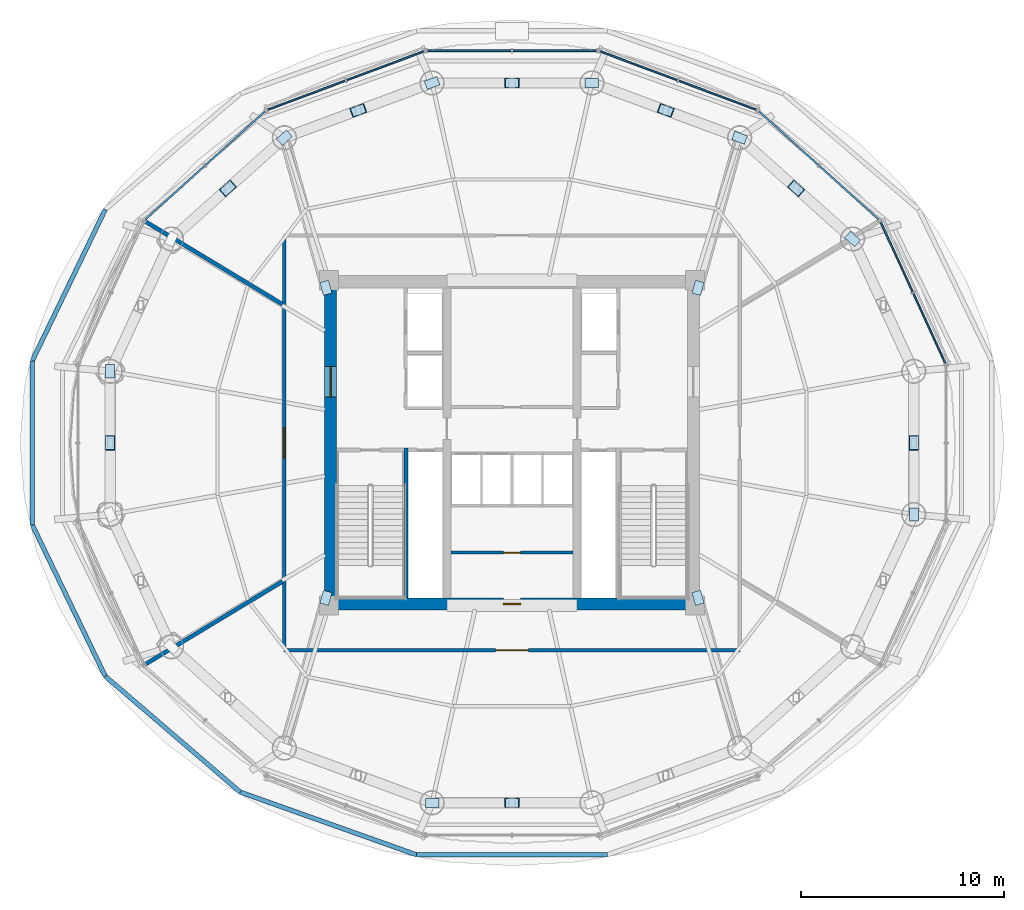
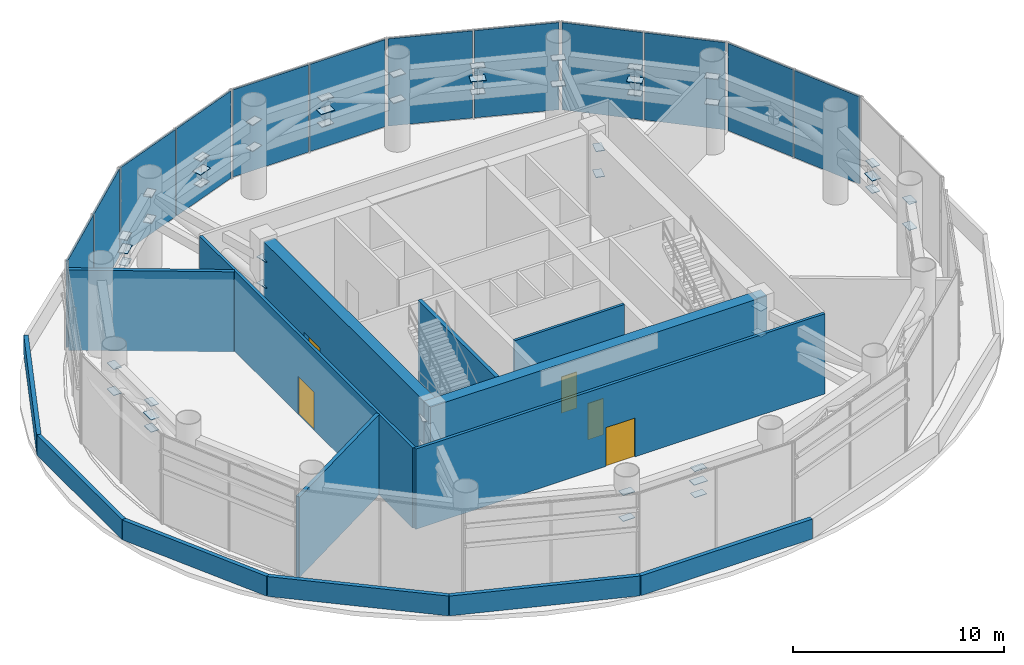
# One storey, part 20 of 25: 60 plates, 14 walls, 5 doors, 5 openings, 6 elements without a shape of their own.
"""IFC4 building model written with IfcOpenShell, lengths in metres."""

from ifc_helpers import new_model, si_unit, direction, frame, frame_2d, origin, origin_2d, place, context, subcontext, project, spatial, rectangle, extrude, source, transform, mapped, material, layer, layer_set, type_object, element, fill, aggregate, save


model = new_model("IFC4")

# Units and contexts
model_context = context("Model", 3, precision=1e-05, world=origin(), true_north=direction((-0.2419218956, 0.970295726276)))
body_context = subcontext(model_context, "Body", "Model", "MODEL_VIEW")
ifc_project = project(units=[si_unit("LENGTHUNIT", "METRE"), si_unit("AREAUNIT", "SQUARE_METRE"), si_unit("VOLUMEUNIT", "CUBIC_METRE"), si_unit("PLANEANGLEUNIT", "RADIAN"), si_unit("MASSUNIT", "GRAM", prefix="KILO")], contexts=[model_context])

# Site, building, storey
site_placement = place(None, origin())
site = spatial("IfcSite", under=ifc_project, at=site_placement, CompositionType="ELEMENT")
building_placement = place(site_placement, origin())
building = spatial("IfcBuilding", under=site, at=building_placement, Name="Cobrevalo Terracotta Tower", CompositionType="ELEMENT")
storey_placement = place(building_placement, frame((0.0, 0.0, 185.800048828125)))
storey = spatial("IfcBuildingStorey", under=building, at=storey_placement, Name="L49", CompositionType="ELEMENT", Elevation=185.800048828125)

# Plates
ifc_material_1 = material(Name="Steel S355", Category="steel")
ifc_layer_1 = layer(ifc_material_1, 0.031982421875)
ifc_layer_set_1 = layer_set([ifc_layer_1], Name="Steel S355")
plate_type_1 = type_object("IfcPlateType", Name="Structural Gusset Plate 750x480x32 (Steel S355)", PredefinedType="SHEET", material=ifc_layer_set_1)
shared_shape_1 = source(origin(), body_context, "Body", "SweptSolid", [
    extrude(rectangle(XDim=0.75, YDim=0.47998046875, at=origin_2d()), origin(), (0.0, 0.0, 1.0), 0.031982421875),
])
for number, where, z_axis, x_axis, name in (
    (1, (51.974365234375, 39.318115234375, 3.38623046875), (0.0, 0.0, 1.0), (-0.744854463858, 0.667226968633, 0.0), "L49 hollow end cap plate GUS-BT-L49-02"),
    (2, (45.56298828125, 43.155517578125, 3.38623046875), (0.0, 0.0, 1.0), (-0.937542718751, 0.347870163305, 0.0), "L49 hollow end cap plate GUS-BT-L49-03"),
    (3, (38.0, 44.503173828125, 3.38623046875), (0.0, 0.0, 1.0), (-1.0, 0.0, 0.0), "L49 hollow end cap plate GUS-BT-L49-04"),
    (4, (30.43701171875, 43.155517578125, 3.38623046875), (0.0, 0.0, 1.0), (-0.937542718751, -0.347870163305, 0.0), "L49 hollow end cap plate GUS-BT-L49-05"),
    (5, (24.025634765625, 39.318115234375, 3.38623046875), (0.0, 0.0, 1.0), (-0.744854463858, -0.667226968633, 0.0), "L49 hollow end cap plate GUS-BT-L49-06"),
    (6, (18.237060546875, 26.800048828125, 3.38623046875), (0.0, 0.0, 1.0), (0.0, -1.0, 0.0), "L49 hollow end cap plate GUS-BT-L49-08"),
    (7, (38.0, 9.096923828125, 3.38623046875), (0.0, 0.0, 1.0), (1.0, 0.0, 0.0), "L49 hollow end cap plate GUS-BT-L49-12"),
    (8, (57.762939453125, 26.800048828125, 3.38623046875), (0.0, 0.0, 1.0), (0.0, 1.0, 0.0), "L49 hollow end cap plate GUS-BT-L49-16"),
):
    element("IfcPlate", number, at=place(storey_placement, frame(where, z_axis=z_axis, x_axis=x_axis)), inside=storey, type_object=plate_type_1, Name=name, PredefinedType="SHEET", context=body_context, shape_type="MappedRepresentation", body=[
        mapped(shared_shape_1, transform((0.0, 0.0, 0.0), scale=1.0)),
    ])
ifc_layer_2 = layer(ifc_material_1, 0.030029296875)
ifc_layer_set_2 = layer_set([ifc_layer_2], Name="Steel S355")
plate_type_2 = type_object("IfcPlateType", Name="Structural Cap Plate 660x440x30 (Steel S355)", PredefinedType="USERDEFINED", material=ifc_layer_set_2)
shared_shape_2 = source(origin(), body_context, "Body", "SweptSolid", [
    extrude(rectangle(XDim=0.659912109375, YDim=0.43994140625, at=origin_2d()), origin(), (0.0, 0.0, 1.0), 0.030029296875),
])
for number, where, z_axis, x_axis, name in (
    (9, (54.754150390625, 36.828125, 2.634765625), (0.0, 0.0, 1.0), (-0.744854463858, 0.667226968633, 0.0), "L49 hollow end cap plate CAP-BT-L49-02-B0"),
    (10, (54.754150390625, 36.828125, 4.14013671875), (0.0, 0.0, 1.0), (-0.744854463858, 0.667226968633, 0.0), "L49 hollow end cap plate CAP-BT-L49-02-T0"),
    (11, (51.974365234375, 39.318115234375, 2.634765625), (0.0, 0.0, 1.0), (-0.744854463858, 0.667226968633, 0.0), "L49 hollow end cap plate CAP-BT-L49-02-BM"),
    (12, (51.974365234375, 39.318115234375, 4.14013671875), (0.0, 0.0, 1.0), (-0.744854463858, 0.667226968633, 0.0), "L49 hollow end cap plate CAP-BT-L49-02-TM"),
    (13, (49.19482421875, 41.80810546875, 2.634765625), (0.0, 0.0, 1.0), (-0.937542718751, 0.347870163305, 0.0), "L49 hollow end cap plate CAP-BT-L49-03-B0"),
    (14, (49.19482421875, 41.80810546875, 4.14013671875), (0.0, 0.0, 1.0), (-0.937542718751, 0.347870163305, 0.0), "L49 hollow end cap plate CAP-BT-L49-03-T0"),
    (15, (45.56298828125, 43.155517578125, 2.634765625), (0.0, 0.0, 1.0), (-0.937542718751, 0.347870163305, 0.0), "L49 hollow end cap plate CAP-BT-L49-03-BM"),
    (16, (45.56298828125, 43.155517578125, 4.14013671875), (0.0, 0.0, 1.0), (-0.937542718751, 0.347870163305, 0.0), "L49 hollow end cap plate CAP-BT-L49-03-TM"),
    (17, (41.93115234375, 44.503173828125, 2.634765625), (0.0, 0.0, 1.0), (-1.0, 0.0, 0.0), "L49 hollow end cap plate CAP-BT-L49-04-B0"),
    (18, (41.93115234375, 44.503173828125, 4.14013671875), (0.0, 0.0, 1.0), (-1.0, 0.0, 0.0), "L49 hollow end cap plate CAP-BT-L49-04-T0"),
    (19, (38.0, 44.503173828125, 2.634765625), (0.0, 0.0, 1.0), (-1.0, 0.0, 0.0), "L49 hollow end cap plate CAP-BT-L49-04-BM"),
    (20, (38.0, 44.503173828125, 4.14013671875), (0.0, 0.0, 1.0), (-1.0, 0.0, 0.0), "L49 hollow end cap plate CAP-BT-L49-04-TM"),
    (21, (34.06884765625, 44.503173828125, 2.634765625), (0.0, 0.0, 1.0), (-0.937542718751, -0.347870163305, 0.0), "L49 hollow end cap plate CAP-BT-L49-05-B0"),
    (22, (34.06884765625, 44.503173828125, 4.14013671875), (0.0, 0.0, 1.0), (-0.937542718751, -0.347870163305, 0.0), "L49 hollow end cap plate CAP-BT-L49-05-T0"),
    (23, (30.43701171875, 43.155517578125, 2.634765625), (0.0, 0.0, 1.0), (-0.937542718751, -0.347870163305, 0.0), "L49 hollow end cap plate CAP-BT-L49-05-BM"),
    (24, (30.43701171875, 43.155517578125, 4.14013671875), (0.0, 0.0, 1.0), (-0.937542718751, -0.347870163305, 0.0), "L49 hollow end cap plate CAP-BT-L49-05-TM"),
    (25, (26.80517578125, 41.80810546875, 2.634765625), (0.0, 0.0, 1.0), (-0.744854463858, -0.667226968633, 0.0), "L49 hollow end cap plate CAP-BT-L49-06-B0"),
    (26, (26.80517578125, 41.80810546875, 4.14013671875), (0.0, 0.0, 1.0), (-0.744854463858, -0.667226968633, 0.0), "L49 hollow end cap plate CAP-BT-L49-06-T0"),
    (27, (24.025634765625, 39.318115234375, 2.634765625), (0.0, 0.0, 1.0), (-0.744854463858, -0.667226968633, 0.0), "L49 hollow end cap plate CAP-BT-L49-06-BM"),
    (28, (24.025634765625, 39.318115234375, 4.14013671875), (0.0, 0.0, 1.0), (-0.744854463858, -0.667226968633, 0.0), "L49 hollow end cap plate CAP-BT-L49-06-TM"),
    (29, (18.237060546875, 30.3212890625, 2.634765625), (0.0, 0.0, 1.0), (0.0, -1.0, 0.0), "L49 hollow end cap plate CAP-BT-L49-08-B0"),
    (30, (18.237060546875, 30.3212890625, 4.14013671875), (0.0, 0.0, 1.0), (0.0, -1.0, 0.0), "L49 hollow end cap plate CAP-BT-L49-08-T0"),
    (31, (18.237060546875, 26.800048828125, 2.634765625), (0.0, 0.0, 1.0), (0.0, -1.0, 0.0), "L49 hollow end cap plate CAP-BT-L49-08-BM"),
    (32, (18.237060546875, 26.800048828125, 4.14013671875), (0.0, 0.0, 1.0), (0.0, -1.0, 0.0), "L49 hollow end cap plate CAP-BT-L49-08-TM"),
    (33, (34.06884765625, 9.096923828125, 2.634765625), (0.0, 0.0, 1.0), (1.0, 0.0, 0.0), "L49 hollow end cap plate CAP-BT-L49-12-B0"),
    (34, (34.06884765625, 9.096923828125, 4.14013671875), (0.0, 0.0, 1.0), (1.0, 0.0, 0.0), "L49 hollow end cap plate CAP-BT-L49-12-T0"),
    (35, (38.0, 9.096923828125, 2.634765625), (0.0, 0.0, 1.0), (1.0, 0.0, 0.0), "L49 hollow end cap plate CAP-BT-L49-12-BM"),
    (36, (38.0, 9.096923828125, 4.14013671875), (0.0, 0.0, 1.0), (1.0, 0.0, 0.0), "L49 hollow end cap plate CAP-BT-L49-12-TM"),
    (37, (57.762939453125, 23.278564453125, 2.634765625), (0.0, 0.0, 1.0), (0.0, 1.0, 0.0), "L49 hollow end cap plate CAP-BT-L49-16-B0"),
    (38, (57.762939453125, 23.278564453125, 4.14013671875), (0.0, 0.0, 1.0), (0.0, 1.0, 0.0), "L49 hollow end cap plate CAP-BT-L49-16-T0"),
    (39, (57.762939453125, 26.800048828125, 2.634765625), (0.0, 0.0, 1.0), (0.0, 1.0, 0.0), "L49 hollow end cap plate CAP-BT-L49-16-BM"),
    (40, (57.762939453125, 26.800048828125, 4.14013671875), (0.0, 0.0, 1.0), (0.0, 1.0, 0.0), "L49 hollow end cap plate CAP-BT-L49-16-TM"),
    (41, (47.14990234375, 34.425048828125, 2.634765625), (0.0, 0.0, 1.0), (0.266903671335, 0.963723212457, 0.0), "L49 hollow end cap plate CAP-OR-L49-1-CB"),
    (42, (47.14990234375, 34.425048828125, 4.14013671875), (0.0, 0.0, 1.0), (0.266903671335, 0.963723212457, 0.0), "L49 hollow end cap plate CAP-OR-L49-1-CT"),
    (43, (28.85009765625, 34.425048828125, 2.634765625), (0.0, 0.0, 1.0), (-0.266903671335, 0.963723212457, 0.0), "L49 hollow end cap plate CAP-OR-L49-2-CB"),
    (44, (28.85009765625, 34.425048828125, 4.14013671875), (0.0, 0.0, 1.0), (-0.266903671335, 0.963723212457, 0.0), "L49 hollow end cap plate CAP-OR-L49-2-CT"),
    (45, (28.85009765625, 19.175048828125, 2.634765625), (0.0, 0.0, 1.0), (-0.266903671335, -0.963723212457, 0.0), "L49 hollow end cap plate CAP-OR-L49-3-CB"),
    (46, (28.85009765625, 19.175048828125, 4.14013671875), (0.0, 0.0, 1.0), (-0.266903671335, -0.963723212457, 0.0), "L49 hollow end cap plate CAP-OR-L49-3-CT"),
    (47, (47.14990234375, 19.175048828125, 2.634765625), (0.0, 0.0, 1.0), (0.266903671335, -0.963723212457, 0.0), "L49 hollow end cap plate CAP-OR-L49-4-CB"),
    (48, (47.14990234375, 19.175048828125, 4.14013671875), (0.0, 0.0, 1.0), (0.266903671335, -0.963723212457, 0.0), "L49 hollow end cap plate CAP-OR-L49-4-CT"),
):
    element("IfcPlate", number, at=place(storey_placement, frame(where, z_axis=z_axis, x_axis=x_axis)), inside=storey, type_object=plate_type_2, Name=name, ObjectType="CAP PLATE", PredefinedType="USERDEFINED", context=body_context, shape_type="MappedRepresentation", body=[
        mapped(shared_shape_2, transform((0.0, 0.0, 0.0), scale=1.0)),
    ])

# Curtain wall, plates
ifc_material_2 = material(Name="Anodized aluminium", Category="aluminium")
curtain_wall_type = type_object("IfcCurtainWallType", Name="Belt-truss plant acoustic weather-louvre curtain wall CW-LV", PredefinedType="NOTDEFINED", material=ifc_material_2)
curtain_wall_1_placement = place(storey_placement, origin())
curtain_wall_1 = element("IfcCurtainWall", 49, at=curtain_wall_1_placement, inside=storey, type_object=curtain_wall_type, Name="L49 curtain wall CW-LV-L49-S01", PredefinedType="NOTDEFINED")
ifc_material_3 = material(Name="Anodized aluminium weather louvre", Category="aluminium")
ifc_layer_3 = layer(ifc_material_3, 0.0849609375)
ifc_layer_set_3 = layer_set([ifc_layer_3], Name="Anodized aluminium weather louvre")
plate_type_3 = type_object("IfcPlateType", Name="Plant room acoustic weather-louvre cassette 85 mm", PredefinedType="USERDEFINED", material=ifc_layer_set_3)
shared_shape_3 = source(origin(), body_context, "Body", "SweptSolid", [
    extrude(rectangle(XDim=3.780029296875, YDim=0.0849609375, at=origin_2d()), origin(), (0.0, 0.0, 1.0), 5.054931640625),
])
plate_1_placement = place(storey_placement, frame((58.53076171875, 32.42822265625, 0.0400390625), z_axis=(0.0, 0.0, 1.0), x_axis=(-0.416731425355, 0.909029657999, 0.0)))
plate_1 = element("IfcPlate", 50, at=plate_1_placement, type_object=plate_type_3, Name="CW-LV-L49-S01 acoustic louvre panel B01", ObjectType="LOUVRE_PANEL", PredefinedType="USERDEFINED", context=body_context, shape_type="MappedRepresentation", body=[
    mapped(shared_shape_3, transform((0.0, 0.0, 0.0), scale=1.0)),
])
plate_2_placement = place(storey_placement, frame((56.922119140625, 35.937255859375, 0.0400390625), z_axis=(0.0, 0.0, 1.0), x_axis=(-0.416731425355, 0.909029657999, 0.0)))
plate_2 = element("IfcPlate", 51, at=plate_2_placement, type_object=plate_type_3, Name="CW-LV-L49-S01 acoustic louvre panel B02", ObjectType="LOUVRE_PANEL", PredefinedType="USERDEFINED", context=body_context, shape_type="MappedRepresentation", body=[
    mapped(shared_shape_3, transform((0.0, 0.0, 0.0), scale=1.0)),
])
aggregate(curtain_wall_1, [plate_1, plate_2])

curtain_wall_2_placement = place(storey_placement, origin())
curtain_wall_2 = element("IfcCurtainWall", 52, at=curtain_wall_2_placement, inside=storey, type_object=curtain_wall_type, Name="L49 curtain wall CW-LV-L49-S02", PredefinedType="NOTDEFINED")
shared_shape_4 = source(origin(), body_context, "Body", "SweptSolid", [
    extrude(rectangle(XDim=3.927490234375, YDim=0.0849609375, at=origin_2d()), origin(), (0.0, 0.0, 1.0), 5.054931640625),
])
plate_3_placement = place(storey_placement, frame((54.584716796875, 39.09814453125, 0.0400390625), z_axis=(0.0, 0.0, 1.0), x_axis=(-0.741987542015, 0.670413668935, 0.0)))
plate_3 = element("IfcPlate", 53, at=plate_3_placement, type_object=plate_type_3, Name="CW-LV-L49-S02 acoustic louvre panel B01", ObjectType="LOUVRE_PANEL", PredefinedType="USERDEFINED", context=body_context, shape_type="MappedRepresentation", body=[
    mapped(shared_shape_4, transform((0.0, 0.0, 0.0), scale=1.0)),
])
plate_4_placement = place(storey_placement, frame((51.611083984375, 41.784912109375, 0.0400390625), z_axis=(0.0, 0.0, 1.0), x_axis=(-0.741987542015, 0.670413668935, 0.0)))
plate_4 = element("IfcPlate", 54, at=plate_4_placement, type_object=plate_type_3, Name="CW-LV-L49-S02 acoustic louvre panel B02", ObjectType="LOUVRE_PANEL", PredefinedType="USERDEFINED", context=body_context, shape_type="MappedRepresentation", body=[
    mapped(shared_shape_4, transform((0.0, 0.0, 0.0), scale=1.0)),
])
aggregate(curtain_wall_2, [plate_3, plate_4])

curtain_wall_3_placement = place(storey_placement, origin())
curtain_wall_3 = element("IfcCurtainWall", 55, at=curtain_wall_3_placement, inside=storey, type_object=curtain_wall_type, Name="L49 curtain wall CW-LV-L49-S06", PredefinedType="NOTDEFINED")
plate_5_placement = place(storey_placement, frame((24.388916015625, 41.784912109375, 0.0400390625), z_axis=(0.0, 0.0, 1.0), x_axis=(-0.741987542015, -0.670413668935, 0.0)))
plate_5 = element("IfcPlate", 56, at=plate_5_placement, type_object=plate_type_3, Name="CW-LV-L49-S06 acoustic louvre panel B01", ObjectType="LOUVRE_PANEL", PredefinedType="USERDEFINED", context=body_context, shape_type="MappedRepresentation", body=[
    mapped(shared_shape_4, transform((0.0, 0.0, 0.0), scale=1.0)),
])
plate_6_placement = place(storey_placement, frame((21.415283203125, 39.09814453125, 0.0400390625), z_axis=(0.0, 0.0, 1.0), x_axis=(-0.741987542015, -0.670413668935, 0.0)))
plate_6 = element("IfcPlate", 57, at=plate_6_placement, type_object=plate_type_3, Name="CW-LV-L49-S06 acoustic louvre panel B02", ObjectType="LOUVRE_PANEL", PredefinedType="USERDEFINED", context=body_context, shape_type="MappedRepresentation", body=[
    mapped(shared_shape_4, transform((0.0, 0.0, 0.0), scale=1.0)),
])
aggregate(curtain_wall_3, [plate_5, plate_6])

curtain_wall_4_placement = place(storey_placement, origin())
curtain_wall_4 = element("IfcCurtainWall", 58, at=curtain_wall_4_placement, inside=storey, type_object=curtain_wall_type, Name="L49 curtain wall CW-LV-L49-S03", PredefinedType="NOTDEFINED")
shared_shape_5 = source(origin(), body_context, "Body", "SweptSolid", [
    extrude(rectangle(XDim=4.069580078125, YDim=0.0849609375, at=origin_2d()), origin(), (0.0, 0.0, 1.0), 5.054931640625),
])
plate_7_placement = place(storey_placement, frame((48.114013671875, 43.896240234375, 0.0400390625), z_axis=(0.0, 0.0, 1.0), x_axis=(-0.936557839879, 0.350513070458, 0.0)))
plate_7 = element("IfcPlate", 59, at=plate_7_placement, type_object=plate_type_3, Name="CW-LV-L49-S03 acoustic louvre panel B01", ObjectType="LOUVRE_PANEL", PredefinedType="USERDEFINED", context=body_context, shape_type="MappedRepresentation", body=[
    mapped(shared_shape_5, transform((0.0, 0.0, 0.0), scale=1.0)),
])
plate_8_placement = place(storey_placement, frame((44.227783203125, 45.350830078125, 0.0400390625), z_axis=(0.0, 0.0, 1.0), x_axis=(-0.936557839879, 0.350513070458, 0.0)))
plate_8 = element("IfcPlate", 60, at=plate_8_placement, type_object=plate_type_3, Name="CW-LV-L49-S03 acoustic louvre panel B02", ObjectType="LOUVRE_PANEL", PredefinedType="USERDEFINED", context=body_context, shape_type="MappedRepresentation", body=[
    mapped(shared_shape_5, transform((0.0, 0.0, 0.0), scale=1.0)),
])
aggregate(curtain_wall_4, [plate_7, plate_8])

curtain_wall_5_placement = place(storey_placement, origin())
curtain_wall_5 = element("IfcCurtainWall", 61, at=curtain_wall_5_placement, inside=storey, type_object=curtain_wall_type, Name="L49 curtain wall CW-LV-L49-S05", PredefinedType="NOTDEFINED")
plate_9_placement = place(storey_placement, frame((31.772216796875, 45.350830078125, 0.0400390625), z_axis=(0.0, 0.0, 1.0), x_axis=(-0.936557839879, -0.350513070458, 0.0)))
plate_9 = element("IfcPlate", 62, at=plate_9_placement, type_object=plate_type_3, Name="CW-LV-L49-S05 acoustic louvre panel B01", ObjectType="LOUVRE_PANEL", PredefinedType="USERDEFINED", context=body_context, shape_type="MappedRepresentation", body=[
    mapped(shared_shape_5, transform((0.0, 0.0, 0.0), scale=1.0)),
])
plate_10_placement = place(storey_placement, frame((27.885986328125, 43.896240234375, 0.0400390625), z_axis=(0.0, 0.0, 1.0), x_axis=(-0.936557839879, -0.350513070458, 0.0)))
plate_10 = element("IfcPlate", 63, at=plate_10_placement, type_object=plate_type_3, Name="CW-LV-L49-S05 acoustic louvre panel B02", ObjectType="LOUVRE_PANEL", PredefinedType="USERDEFINED", context=body_context, shape_type="MappedRepresentation", body=[
    mapped(shared_shape_5, transform((0.0, 0.0, 0.0), scale=1.0)),
])
aggregate(curtain_wall_5, [plate_9, plate_10])

curtain_wall_6_placement = place(storey_placement, origin())
curtain_wall_6 = element("IfcCurtainWall", 64, at=curtain_wall_6_placement, inside=storey, type_object=curtain_wall_type, Name="L49 curtain wall CW-LV-L49-S04", PredefinedType="NOTDEFINED")
shared_shape_6 = source(origin(), body_context, "Body", "SweptSolid", [
    extrude(rectangle(XDim=4.127197265625, YDim=0.0849609375, at=origin_2d()), origin(), (0.0, 0.0, 1.0), 5.054931640625),
])
plate_11_placement = place(storey_placement, frame((40.103515625, 46.092041015625, 0.0400390625), z_axis=(0.0, 0.0, 1.0), x_axis=(-1.0, 0.0, 0.0)))
plate_11 = element("IfcPlate", 65, at=plate_11_placement, type_object=plate_type_3, Name="CW-LV-L49-S04 acoustic louvre panel B01", ObjectType="LOUVRE_PANEL", PredefinedType="USERDEFINED", context=body_context, shape_type="MappedRepresentation", body=[
    mapped(shared_shape_6, transform((0.0, 0.0, 0.0), scale=1.0)),
])
plate_12_placement = place(storey_placement, frame((35.896484375, 46.092041015625, 0.0400390625), z_axis=(0.0, 0.0, 1.0), x_axis=(-1.0, 0.0, 0.0)))
plate_12 = element("IfcPlate", 66, at=plate_12_placement, type_object=plate_type_3, Name="CW-LV-L49-S04 acoustic louvre panel B02", ObjectType="LOUVRE_PANEL", PredefinedType="USERDEFINED", context=body_context, shape_type="MappedRepresentation", body=[
    mapped(shared_shape_6, transform((0.0, 0.0, 0.0), scale=1.0)),
])
aggregate(curtain_wall_6, [plate_11, plate_12])

# Wall, opening, door
ifc_material_4 = material(Name="Concrete C55", Category="concrete")
ifc_layer_4 = layer(ifc_material_4, 0.60009765625)
ifc_layer_set_4 = layer_set([ifc_layer_4], Name="Concrete C55")
wall_type_1 = type_object("IfcWallType", Name="Core shear wall 600 mm Concrete C55", PredefinedType="SHEAR", material=ifc_layer_set_4)
wall_1_placement = place(storey_placement, frame((28.77490234375, 18.875, 0.0), z_axis=(0.0, 0.0, 1.0), x_axis=(1.0, 0.0, 0.0)))
wall_1 = element("IfcWall", 67, at=wall_1_placement, inside=storey, type_object=wall_type_1, Name="L49 south core shear wall", PredefinedType="SHEAR", context=body_context, shape_type="SweptSolid", body=[
    extrude(rectangle(XDim=18.4501953125, YDim=0.60009765625, at=frame_2d((9.22509765625, 0.0))), origin(), (0.0, 0.0, 1.0), 5.135009765625),
])
opening_1_placement = place(wall_1_placement, frame((8.800048828125, 0.0, 0.0)))
opening_1 = element("IfcOpeningElement", 68, at=opening_1_placement, cuts=wall_1, Name="Opening ID-22", PredefinedType="OPENING", context=body_context, shape_type="SweptSolid", body=[
    extrude(rectangle(XDim=0.85009765625, YDim=2.10009765625, at=frame_2d((0.425048828125, 1.050048828125))), frame((0.0, 0.31005859375, 0.0), z_axis=(0.0, -1.0, 0.0), x_axis=(1.0, 0.0, 0.0)), (0.0, 0.0, 1.0), 0.6201171875),
])
ifc_material_5 = material(Name="Powder-coated steel", Category="steel")
door_type_1 = type_object("IfcDoorType", Name="Riser shaft & meter closet fire access door 850x2100 EI 60", OperationType="NOTDEFINED", PredefinedType="DOOR", material=ifc_material_5)
shared_shape_7 = source(origin(), body_context, "Body", "SweptSolid", [
    extrude(rectangle(XDim=0.85009765625, YDim=2.10009765625, at=frame_2d((0.425048828125, 1.050048828125))), frame((0.0, 0.02490234375, 0.0), z_axis=(0.0, -1.0, 0.0), x_axis=(1.0, 0.0, 0.0)), (0.0, 0.0, 1.0), 0.050048828125),
])
door_1_placement = place(opening_1_placement, origin())
door_1 = element("IfcDoor", 69, at=door_1_placement, inside=storey, type_object=door_type_1, Name="L49 core south plant door Smoke Extract Fan Plant", OperationType="SINGLE_SWING_RIGHT", OverallHeight=2.10009765625, OverallWidth=0.85009765625, PredefinedType="DOOR", context=body_context, shape_type="MappedRepresentation", body=[
    mapped(shared_shape_7, transform((0.0, 0.0, 0.0), scale=1.0)),
])
fill(opening_1, door_1)

wall_2_placement = place(storey_placement, frame((29.074951171875, 19.175048828125, 0.0), z_axis=(0.0, 0.0, 1.0), x_axis=(0.0, 1.0, 0.0)))
wall_2 = element("IfcWall", 70, at=wall_2_placement, inside=storey, type_object=wall_type_1, Name="L49 west core shear wall", PredefinedType="SHEAR", context=body_context, shape_type="SweptSolid", body=[
    extrude(rectangle(XDim=15.25, YDim=0.60009765625, at=frame_2d((7.625, 0.0))), origin(), (0.0, 0.0, 1.0), 5.135009765625),
])
opening_2_placement = place(wall_2_placement, frame((9.875, 0.0, 0.0)))
opening_2 = element("IfcOpeningElement", 71, at=opening_2_placement, cuts=wall_2, Name="Opening ID-14", PredefinedType="OPENING", context=body_context, shape_type="SweptSolid", body=[
    extrude(rectangle(XDim=1.5, YDim=2.199951171875, at=frame_2d((0.75, 1.10009765625))), frame((0.0, 0.31005859375, 0.0), z_axis=(0.0, -1.0, 0.0), x_axis=(1.0, 0.0, 0.0)), (0.0, 0.0, 1.0), 0.6201171875),
])
ifc_material_6 = material(Name="Galvanized fire-rated steel", Category="steel")
door_type_2 = type_object("IfcDoorType", Name="Core cross-lobby double fire door 1500x2200 EI 90", OperationType="NOTDEFINED", PredefinedType="DOOR", material=ifc_material_6)
shared_shape_8 = source(origin(), body_context, "Body", "SweptSolid", [
    extrude(rectangle(XDim=1.5, YDim=2.199951171875, at=frame_2d((0.75, 1.10009765625))), frame((0.0, 0.02490234375, 0.0), z_axis=(0.0, -1.0, 0.0), x_axis=(1.0, 0.0, 0.0)), (0.0, 0.0, 1.0), 0.050048828125),
])
door_2_placement = place(opening_2_placement, origin())
door_2 = element("IfcDoor", 72, at=door_2_placement, inside=storey, type_object=door_type_2, Name="L49 west firefighting lobby entrance door", OperationType="DOUBLE_DOOR_SINGLE_SWING", OverallHeight=2.199951171875, OverallWidth=1.5, PredefinedType="DOOR", context=body_context, shape_type="MappedRepresentation", body=[
    mapped(shared_shape_8, transform((0.0, 0.0, 0.0), scale=1.0)),
])
fill(opening_2, door_2)

ifc_material_7 = material(Name="Gypsum board on steel stud", Category="steel")
ifc_layer_5 = layer(ifc_material_7, 0.159912109375)
ifc_layer_set_5 = layer_set([ifc_layer_5], Name="Gypsum board on steel stud")
wall_type_2 = type_object("IfcWallType", Name="Fire-rated corridor acoustic partition wall 160 mm", PredefinedType="PARTITIONING", material=ifc_layer_set_5)
wall_3_placement = place(storey_placement, frame((26.794921875, 16.594970703125, 0.0), z_axis=(0.0, 0.0, 1.0), x_axis=(1.0, 0.0, 0.0)))
wall_3 = element("IfcWall", 73, at=wall_3_placement, inside=storey, type_object=wall_type_2, Name="L49 interior partition IW-L49-COR-S", PredefinedType="PARTITIONING", context=body_context, shape_type="SweptSolid", body=[
    extrude(rectangle(XDim=22.41015625, YDim=0.159912109375, at=frame_2d((11.205078125, 0.0))), origin(), (0.0, 0.0, 1.0), 4.65087890625),
])
opening_3_placement = place(wall_3_placement, frame((10.405029296875, 0.0, 0.0)))
opening_3 = element("IfcOpeningElement", 74, at=opening_3_placement, cuts=wall_3, Name="Opening ID-06", PredefinedType="OPENING", context=body_context, shape_type="SweptSolid", body=[
    extrude(rectangle(XDim=1.60009765625, YDim=2.25, at=frame_2d((0.800048828125, 1.125))), frame((0.0, 0.08984375, 0.0), z_axis=(0.0, -1.0, 0.0), x_axis=(1.0, 0.0, 0.0)), (0.0, 0.0, 1.0), 0.179931640625),
])
door_type_3 = type_object("IfcDoorType", Name="Plant & mechanical room double fire door 1600x2250 EI 90", OperationType="NOTDEFINED", PredefinedType="DOOR", material=ifc_material_6)
shared_shape_9 = source(origin(), body_context, "Body", "SweptSolid", [
    extrude(rectangle(XDim=1.60009765625, YDim=2.25, at=frame_2d((0.800048828125, 1.125))), frame((0.0, 0.02490234375, 0.0), z_axis=(0.0, -1.0, 0.0), x_axis=(1.0, 0.0, 0.0)), (0.0, 0.0, 1.0), 0.050048828125),
])
door_3_placement = place(opening_3_placement, origin())
door_3 = element("IfcDoor", 75, at=door_3_placement, inside=storey, type_object=door_type_3, Name="L49 Belt-Truss AHU Plant Room South door", OperationType="DOUBLE_DOOR_SINGLE_SWING", OverallHeight=2.25, OverallWidth=1.60009765625, PredefinedType="DOOR", context=body_context, shape_type="MappedRepresentation", body=[
    mapped(shared_shape_9, transform((0.0, 0.0, 0.0), scale=1.0)),
])
fill(opening_3, door_3)

wall_4_placement = place(storey_placement, frame((26.794921875, 16.675048828125, 0.0), z_axis=(0.0, 0.0, 1.0), x_axis=(0.0, 1.0, 0.0)))
wall_4 = element("IfcWall", 76, at=wall_4_placement, inside=storey, type_object=wall_type_2, Name="L49 interior partition IW-L49-COR-W", PredefinedType="PARTITIONING", context=body_context, shape_type="SweptSolid", body=[
    extrude(rectangle(XDim=20.25, YDim=0.159912109375, at=frame_2d((10.125, 0.0))), origin(), (0.0, 0.0, 1.0), 4.65087890625),
])
opening_4_placement = place(wall_4_placement, frame((9.375, 0.0, 0.0)))
opening_4 = element("IfcOpeningElement", 77, at=opening_4_placement, cuts=wall_4, Name="Opening ID-14", PredefinedType="OPENING", context=body_context, shape_type="SweptSolid", body=[
    extrude(rectangle(XDim=1.5, YDim=2.199951171875, at=frame_2d((0.75, 1.10009765625))), frame((0.0, 0.08984375, 0.0), z_axis=(0.0, -1.0, 0.0), x_axis=(1.0, 0.0, 0.0)), (0.0, 0.0, 1.0), 0.179931640625),
])
door_4_placement = place(opening_4_placement, frame((1.5, 0.0, 0.0), z_axis=(0.0, 0.0, 1.0), x_axis=(-1.0, 0.0, 0.0)))
door_4 = element("IfcDoor", 78, at=door_4_placement, inside=storey, type_object=door_type_2, Name="L49 Pressurized Fire Refuge Area door", OperationType="DOUBLE_DOOR_SINGLE_SWING", OverallHeight=2.199951171875, OverallWidth=1.5, PredefinedType="DOOR", context=body_context, shape_type="MappedRepresentation", body=[
    mapped(shared_shape_8, transform((0.0, 0.0, 0.0), scale=1.0)),
])
fill(opening_4, door_4)

# Walls
ifc_material_8 = material(Name="Autoclaved aerated concrete block", Category="concrete")
ifc_layer_6 = layer(ifc_material_8, 0.199951171875)
ifc_layer_set_6 = layer_set([ifc_layer_6], Name="Autoclaved aerated concrete block")
wall_type_3 = type_object("IfcWallType", Name="Fire-rated stair, shaft & demising masonry wall 200 mm", PredefinedType="PARTITIONING", material=ifc_layer_set_6)
for number, where, z_axis, x_axis, name in (
    (79, (26.715087890625, 33.614013671875, 0.0), (0.0, 0.0, 1.0), (-0.856046306453, 0.516899140266, 0.0), "L49 interior partition IW-L49-PW1"),
    (80, (26.715087890625, 19.986083984375, 0.0), (0.0, 0.0, 1.0), (-0.856046306453, -0.516899140266, 0.0), "L49 interior partition IW-L49-PW2"),
):
    element("IfcWall", number, at=place(storey_placement, frame(where, z_axis=z_axis, x_axis=x_axis)), inside=storey, type_object=wall_type_3, Name=name, PredefinedType="PARTITIONING", context=body_context, shape_type="SweptSolid", body=[
        extrude(rectangle(XDim=7.865966796875, YDim=0.199951171875, at=frame_2d((3.93310546875, 0.0))), origin(), (0.0, 0.0, 1.0), 4.65087890625),
    ])

# Wall, opening, door
ifc_layer_7 = layer(ifc_material_8, 0.139892578125)
ifc_layer_set_7 = layer_set([ifc_layer_7], Name="Autoclaved aerated concrete block")
wall_type_4 = type_object("IfcWallType", Name="Moisture-resistant wet-room & core service partition 140 mm", PredefinedType="PARTITIONING", material=ifc_layer_set_7)
wall_5_placement = place(storey_placement, frame((34.989990234375, 21.407470703125, 0.0), z_axis=(0.0, 0.0, 1.0), x_axis=(1.0, 0.0, 0.0)))
wall_5 = element("IfcWall", 81, at=wall_5_placement, inside=storey, type_object=wall_type_4, Name="L49 interior partition IW-L49-KVS-H", PredefinedType="PARTITIONING", context=body_context, shape_type="SweptSolid", body=[
    extrude(rectangle(XDim=6.02001953125, YDim=0.139892578125, at=frame_2d((3.010009765625, 0.0))), origin(), (0.0, 0.0, 1.0), 5.135009765625),
])
opening_5_placement = place(wall_5_placement, frame((2.5849609375, 0.0, 0.0)))
opening_5 = element("IfcOpeningElement", 82, at=opening_5_placement, cuts=wall_5, Name="Opening ID-22", PredefinedType="OPENING", context=body_context, shape_type="SweptSolid", body=[
    extrude(rectangle(XDim=0.85009765625, YDim=2.10009765625, at=frame_2d((0.425048828125, 1.050048828125))), frame((0.0, 0.080078125, 0.0), z_axis=(0.0, -1.0, 0.0), x_axis=(1.0, 0.0, 0.0)), (0.0, 0.0, 1.0), 0.159912109375),
])
door_5_placement = place(opening_5_placement, origin())
door_5 = element("IfcDoor", 83, at=door_5_placement, inside=storey, type_object=door_type_1, Name="L49 core manifold inner door", OperationType="SINGLE_SWING_LEFT", OverallHeight=2.10009765625, OverallWidth=0.85009765625, PredefinedType="DOOR", context=body_context, shape_type="MappedRepresentation", body=[
    mapped(shared_shape_7, transform((0.0, 0.0, 0.0), scale=1.0)),
])
fill(opening_5, door_5)

# Walls
ifc_material_9 = material(Name="Precast concrete C45", Category="concrete")
ifc_layer_8 = layer(ifc_material_9, 0.219970703125)
ifc_layer_set_8 = layer_set([ifc_layer_8], Name="Precast concrete C45")
wall_type_5 = type_object("IfcWallType", Name="Precast concrete roof and setback terrace parapet wall 220 mm", PredefinedType="PARAPET", material=ifc_layer_set_8)
wall_6_placement = place(storey_placement, frame((17.994873046875, 38.278076171875, 0.0), z_axis=(0.0, 0.0, 1.0), x_axis=(-0.434472436511, -0.900685129172, 0.0)))
element("IfcWall", 84, at=wall_6_placement, inside=storey, type_object=wall_type_5, Name="L49 setback roof concrete parapet 07", PredefinedType="PARAPET", context=body_context, shape_type="SweptSolid", body=[
    extrude(rectangle(XDim=8.268798828125, YDim=0.219970703125, at=frame_2d((4.13427734375, 0.0))), origin(), (0.0, 0.0, 1.0), 1.14990234375),
])
wall_7_placement = place(storey_placement, frame((14.40234375, 30.83056640625, 0.0), z_axis=(0.0, 0.0, 1.0), x_axis=(0.0, -1.0, 0.0)))
element("IfcWall", 85, at=wall_7_placement, inside=storey, type_object=wall_type_5, Name="L49 setback roof concrete parapet 08", PredefinedType="PARAPET", context=body_context, shape_type="SweptSolid", body=[
    extrude(rectangle(XDim=8.06103515625, YDim=0.219970703125, at=frame_2d((4.030517578125, 0.0))), origin(), (0.0, 0.0, 1.0), 1.14990234375),
])
wall_8_placement = place(storey_placement, frame((14.40234375, 22.76953125, 0.0), z_axis=(0.0, 0.0, 1.0), x_axis=(0.434472436511, -0.900685129172, 0.0)))
element("IfcWall", 86, at=wall_8_placement, inside=storey, type_object=wall_type_5, Name="L49 setback roof concrete parapet 09", PredefinedType="PARAPET", context=body_context, shape_type="SweptSolid", body=[
    extrude(rectangle(XDim=8.268798828125, YDim=0.219970703125, at=frame_2d((4.13427734375, 0.0))), origin(), (0.0, 0.0, 1.0), 1.14990234375),
])
wall_9_placement = place(storey_placement, frame((17.994873046875, 15.322021484375, 0.0), z_axis=(0.0, 0.0, 1.0), x_axis=(0.758673296268, -0.651471280664, 0.0)))
element("IfcWall", 87, at=wall_9_placement, inside=storey, type_object=wall_type_5, Name="L49 setback roof concrete parapet 10", PredefinedType="PARAPET", context=body_context, shape_type="SweptSolid", body=[
    extrude(rectangle(XDim=8.749755859375, YDim=0.219970703125, at=frame_2d((4.375, 0.0))), origin(), (0.0, 0.0, 1.0), 1.14990234375),
])
wall_10_placement = place(storey_placement, frame((24.633056640625, 9.621826171875, 0.0), z_axis=(0.0, 0.0, 1.0), x_axis=(0.942173755835, -0.335124773504, 0.0)))
element("IfcWall", 88, at=wall_10_placement, inside=storey, type_object=wall_type_5, Name="L49 setback roof concrete parapet 11", PredefinedType="PARAPET", context=body_context, shape_type="SweptSolid", body=[
    extrude(rectangle(XDim=9.205322265625, YDim=0.219970703125, at=frame_2d((4.6025390625, 0.0))), origin(), (0.0, 0.0, 1.0), 1.14990234375),
])
wall_11_placement = place(storey_placement, frame((33.30615234375, 6.536865234375, 0.0), z_axis=(0.0, 0.0, 1.0), x_axis=(1.0, 0.0, 0.0)))
element("IfcWall", 89, at=wall_11_placement, inside=storey, type_object=wall_type_5, Name="L49 setback roof concrete parapet 12", PredefinedType="PARAPET", context=body_context, shape_type="SweptSolid", body=[
    extrude(rectangle(XDim=9.3876953125, YDim=0.219970703125, at=frame_2d((4.69384765625, 0.0))), origin(), (0.0, 0.0, 1.0), 1.14990234375),
])
ifc_material_10 = material(Name="Concrete C50", Category="concrete")
ifc_layer_9 = layer(ifc_material_10, 0.199951171875)
ifc_layer_set_9 = layer_set([ifc_layer_9], Name="Concrete C50")
wall_type_6 = type_object("IfcWallType", Name="Structural core & podium stair-shaft RC wall 200 mm Concrete C50", PredefinedType="SOLIDWALL", material=ifc_layer_set_9)
wall_12_placement = place(storey_placement, frame((32.794921875, 19.175048828125, 0.0), z_axis=(0.0, 0.0, 1.0), x_axis=(0.0, 1.0, 0.0)))
element("IfcWall", 90, at=wall_12_placement, inside=storey, type_object=wall_type_6, Name="L49 ST-1 east structural shaft wall", PredefinedType="SOLIDWALL", context=body_context, shape_type="SweptSolid", body=[
    extrude(rectangle(XDim=7.375, YDim=0.199951171875, at=frame_2d((3.6875, 0.0))), origin(), (0.0, 0.0, 1.0), 5.135009765625),
])

save(model, "model.ifc")
